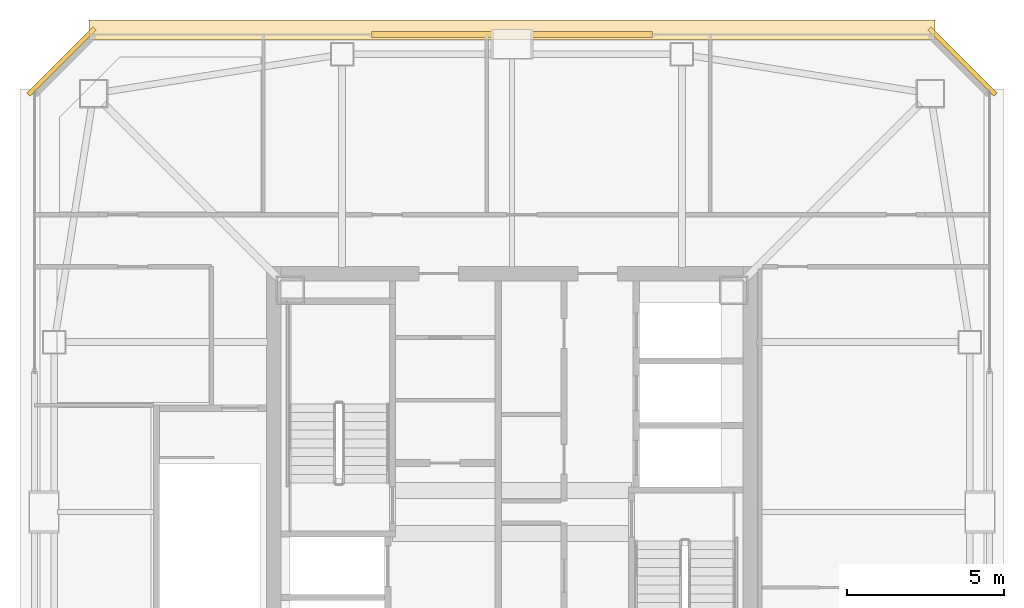
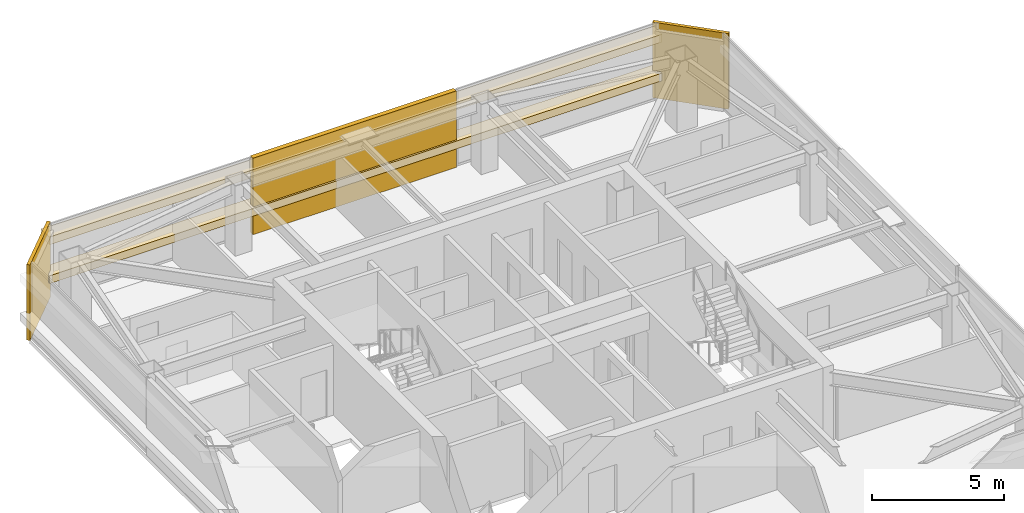
# One storey, part 18 of 18: 5 coverings.
"""IFC4 building model written with IfcOpenShell, lengths in metres."""

from ifc_helpers import new_model, si_unit, direction, frame, origin, origin_2d, place, context, subcontext, project, spatial, rectangle, extrude, material, layer, layer_set, type_object, element, save


model = new_model("IFC4")

# Units and contexts
model_context = context("Model", 3, precision=1e-05, world=origin(), true_north=direction((0.0, 1.0)))
body_context = subcontext(model_context, "Body", "Model", "MODEL_VIEW")
ifc_project = project(units=[si_unit("LENGTHUNIT", "METRE"), si_unit("AREAUNIT", "SQUARE_METRE"), si_unit("VOLUMEUNIT", "CUBIC_METRE"), si_unit("PLANEANGLEUNIT", "RADIAN"), si_unit("MASSUNIT", "GRAM", prefix="KILO")], contexts=[model_context])

# Site, building, storey
site_placement = place(None, origin())
site = spatial("IfcSite", under=ifc_project, at=site_placement, CompositionType="ELEMENT")
building_placement = place(site_placement, origin())
building = spatial("IfcBuilding", under=site, at=building_placement, Name="Tashvorn Skyway Center", CompositionType="ELEMENT")
storey_placement = place(building_placement, frame((0.0, 0.0, 274.050048828125)))
storey = spatial("IfcBuildingStorey", under=building, at=storey_placement, Name="L74", CompositionType="ELEMENT", Elevation=274.050048828125)

# Coverings
ifc_material_1 = material(Name="Precast concrete C40/50", Category="concrete")
ifc_layer_1 = layer(ifc_material_1, 0.199951171875)
ifc_layer_set_1 = layer_set([ifc_layer_1], Name="Precast concrete C40/50")
covering_type_1 = type_object("IfcCoveringType", Name="COV-BRACE-CLAD", PredefinedType="CLADDING", material=ifc_layer_set_1)
covering_placement = place(storey_placement, frame((42.0, 47.179931640625, 0.0), z_axis=(0.0, 0.0, 1.0), x_axis=(1.0, 0.0, 0.0)))
element("IfcCovering", 1, at=covering_placement, inside=storey, type_object=covering_type_1, Name="Tower 1 L74 North Unitised Curtain Wall Mega-Brace Cladding Band 1", PredefinedType="CLADDING", context=body_context, shape_type="SweptSolid", body=[
    extrude(rectangle(XDim=8.919921875, YDim=0.199951171875, at=origin_2d()), origin(), (0.0, 0.0, 1.0), 3.550048828125),
])
ifc_material_2 = material(Name="Perforated ceramic-coated bronze aluminium solar screen", Category="aluminium")
ifc_layer_2 = layer(ifc_material_2, 0.85009765625)
ifc_layer_set_2 = layer_set([ifc_layer_2], Name="Perforated ceramic-coated bronze aluminium solar screen")
covering_type_2 = type_object("IfcCoveringType", Name="COV-SOLAR-BAND", PredefinedType="CLADDING", material=ifc_layer_set_2)
for number, where, z_axis, x_axis, name in (
    (2, (42.0, 47.320068359375, 0.919921875), (0.0, 0.0, 1.0), (1.0, 0.0, 0.0), "L74 Perforated Ceramic-Metal Solar Screen Louvre Band North 1"),
    (3, (42.0, 47.320068359375, 2.7197265625), (0.0, 0.0, 1.0), (1.0, 0.0, 0.0), "L74 Perforated Ceramic-Metal Solar Screen Louvre Band North 2"),
):
    element("IfcCovering", number, at=place(storey_placement, frame(where, z_axis=z_axis, x_axis=x_axis)), inside=storey, type_object=covering_type_2, Name=name, PredefinedType="CLADDING", context=body_context, shape_type="SweptSolid", body=[
        extrude(rectangle(XDim=26.8798828125, YDim=0.639892578125, at=origin_2d()), origin(), (0.0, 0.0, 1.0), 0.360107421875),
    ])
ifc_layer_3 = layer(ifc_material_1, 0.35009765625)
ifc_layer_set_3 = layer_set([ifc_layer_3], Name="Precast concrete C40/50")
covering_type_3 = type_object("IfcCoveringType", Name="COV-STONE-TRIM", PredefinedType="CLADDING", material=ifc_layer_set_3)
for number, where, z_axis, x_axis, name in (
    (4, (27.679931640625, 46.320068359375, 0.02001953125), (0.0, 0.0, 1.0), (-0.707106781187, -0.707106781187, 0.0), "Tower 1 L74 NW Mojave Limestone Corner Quoin"),
    (5, (56.320068359375, 46.320068359375, 0.02001953125), (0.0, 0.0, 1.0), (0.707106781187, -0.707106781187, 0.0), "Tower 1 L74 NE Mojave Limestone Corner Quoin"),
):
    element("IfcCovering", number, at=place(storey_placement, frame(where, z_axis=z_axis, x_axis=x_axis)), inside=storey, type_object=covering_type_3, Name=name, PredefinedType="CLADDING", context=body_context, shape_type="SweptSolid", body=[
        extrude(rectangle(XDim=2.98828125, YDim=0.139892578125, at=origin_2d()), origin(), (0.0, 0.0, 1.0), 3.510009765625),
    ])

save(model, "model.ifc")
